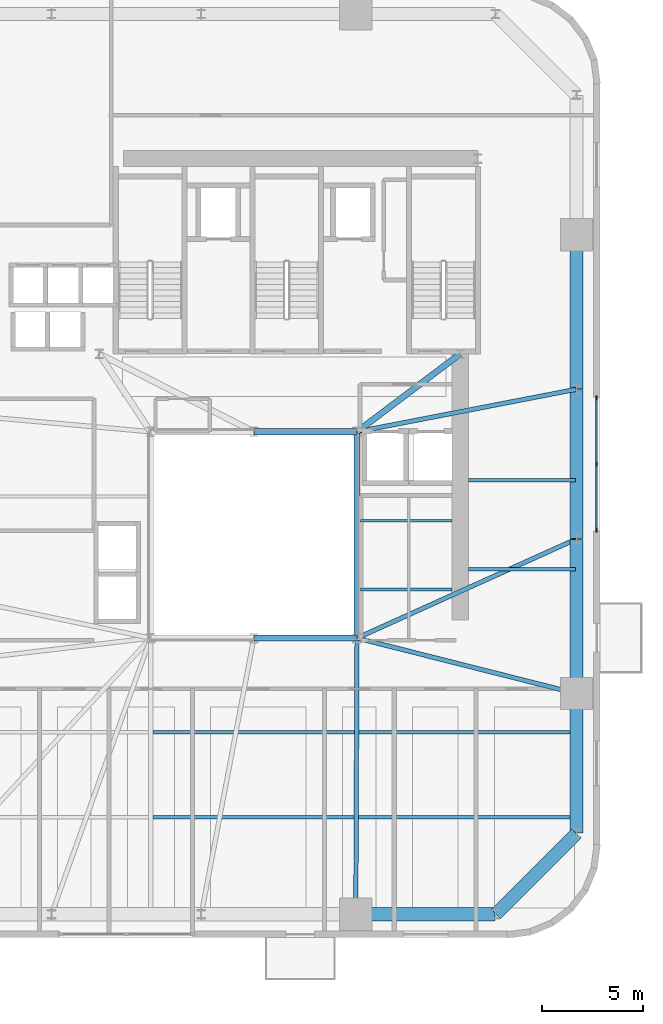
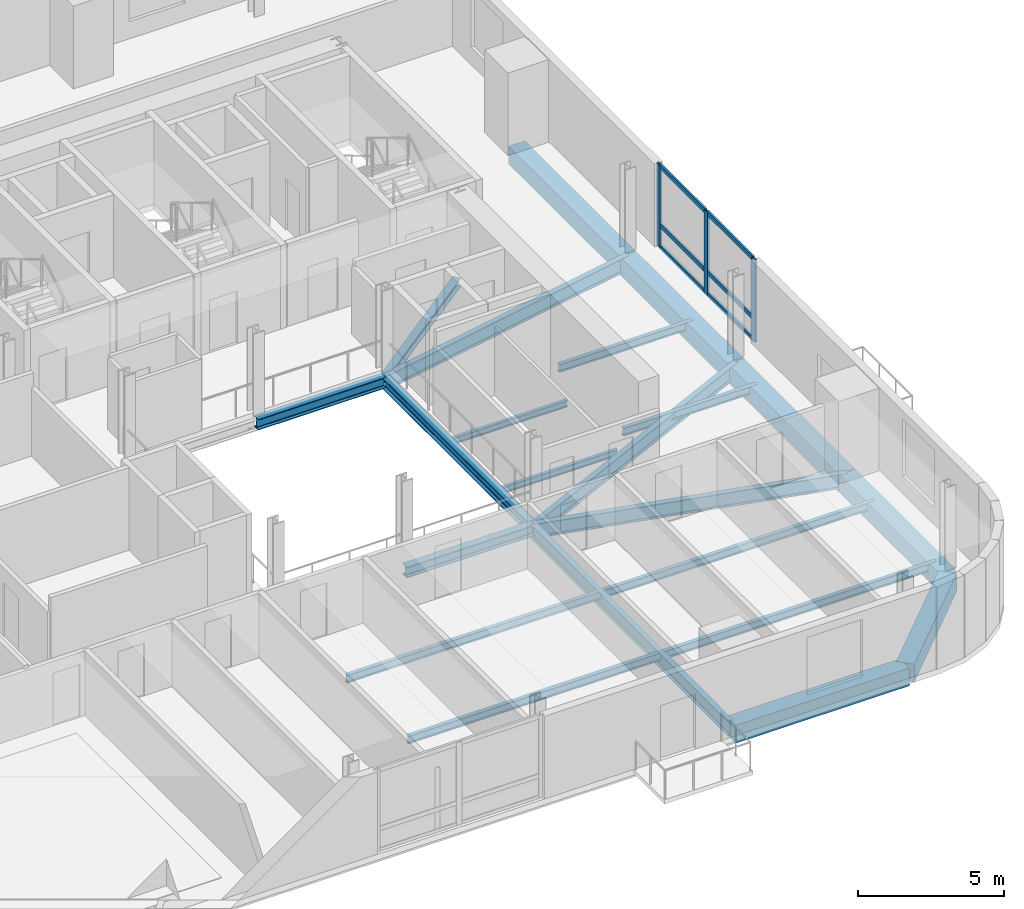
# One storey, part 3 of 14: 20 beams, 9 members, 1 element without a shape of its own.
"""IFC4 building model written with IfcOpenShell, lengths in metres."""

import ifcopenshell
import ifcopenshell.guid

model = None  # the IFC model being written
_history = None  # IfcOwnerHistory: only IFC2X3 demands one
_inside = {}  # id of a spatial element -> (the spatial element, [elements in it])
_under = {}  # id of a project, library or spatial element -> (it, [spatial elements below it])
_declared = {}  # id of a project -> (the project, [libraries it declares])
_typed = {}  # id of a type object -> (the type object, [elements of that type])
_made_of = {}  # id of a material, layer set ... -> (it, [elements and type objects made of it])


def new_model(schema):
    """Start an empty IFC model of exactly this schema.

    Asked for "IFC4X3", IfcOpenShell would pick the latest addendum, in which some entities
    have other attributes; the version numbers below select the first issue.
    IFC2X3 requires an IfcOwnerHistory on every rooted entity: one is made here for all.
    """
    global model, _history
    if schema == "IFC4X3":
        model = ifcopenshell.file(schema_version=(4, 3, 0, 0))
    else:
        model = ifcopenshell.file(schema=schema)
    _inside.clear()
    _under.clear()
    _declared.clear()
    _typed.clear()
    _made_of.clear()
    _history = None
    if model.schema == "IFC2X3":
        org = make("IfcOrganization", Name="unknown")
        user = make(
            "IfcPersonAndOrganization",
            ThePerson=make("IfcPerson", FamilyName="unknown"),
            TheOrganization=org,
        )
        app = make(
            "IfcApplication",
            ApplicationDeveloper=org,
            Version="unknown",
            ApplicationFullName="unknown",
            ApplicationIdentifier="unknown",
        )
        _history = make(
            "IfcOwnerHistory",
            OwningUser=user,
            OwningApplication=app,
            ChangeAction="ADDED",
            CreationDate=0,
        )
    return model


def make(cls, **values):
    """One entity of the class cls with the attributes given. An attribute that is None is left unset."""
    return model.create_entity(
        cls, **{name: value for name, value in values.items() if value is not None}
    )


def rooted(cls, **values):
    """An entity with a GlobalId (a new one), such as an element, a storey or a relation."""
    return make(cls, GlobalId=ifcopenshell.guid.new(), OwnerHistory=_history, **values)


def si_unit(unit_type, name, prefix=None):
    """IfcSIUnit, for example si_unit("LENGTHUNIT", "METRE", prefix="MILLI")."""
    return make("IfcSIUnit", UnitType=unit_type, Prefix=prefix, Name=name)


def assignment(units):
    """IfcUnitAssignment: the units of a project."""
    return None if units is None else make("IfcUnitAssignment", Units=units)


def point(xyz):
    """IfcCartesianPoint."""
    return None if xyz is None else make("IfcCartesianPoint", Coordinates=xyz)


def direction(xyz):
    """IfcDirection."""
    return None if xyz is None else make("IfcDirection", DirectionRatios=xyz)


def frame(location, z_axis=None, x_axis=None):
    """IfcAxis2Placement3D, a coordinate frame: its origin and axes. An axis left out is left unset."""
    return make(
        "IfcAxis2Placement3D",
        Location=point(location),
        Axis=direction(z_axis),
        RefDirection=direction(x_axis),
    )


def frame_2d(location, x_axis=None):
    """IfcAxis2Placement2D, a coordinate frame in the plane: its origin and x axis."""
    return make(
        "IfcAxis2Placement2D", Location=point(location), RefDirection=direction(x_axis)
    )


def origin():
    """The frame at (0, 0, 0) with its axes left unset."""
    return frame((0.0, 0.0, 0.0))


def origin_2d():
    """The frame at (0, 0) in the plane with its x axis left unset."""
    return frame_2d((0.0, 0.0))


def place(relative_to, where):
    """IfcLocalPlacement: puts the frame where relative to a parent placement (None: the world)."""
    return make(
        "IfcLocalPlacement", PlacementRelTo=relative_to, RelativePlacement=where
    )


def context(
    kind, dimensions, precision=None, world=None, true_north=None, identifier=None
):
    """IfcGeometricRepresentationContext, for example the 3D "Model" context."""
    return make(
        "IfcGeometricRepresentationContext",
        ContextIdentifier=identifier,
        ContextType=kind,
        CoordinateSpaceDimension=dimensions,
        Precision=precision,
        WorldCoordinateSystem=world,
        TrueNorth=true_north,
    )


def subcontext(parent, identifier, kind, view, scale=None):
    """IfcGeometricRepresentationSubContext, for example "Body" below "Model"."""
    return make(
        "IfcGeometricRepresentationSubContext",
        ContextIdentifier=identifier,
        ContextType=kind,
        ParentContext=parent,
        TargetScale=scale,
        TargetView=view,
    )


def project(units=None, contexts=None):
    """IfcProject with its units and contexts."""
    return rooted(
        "IfcProject",
        Name="project",
        RepresentationContexts=contexts,
        UnitsInContext=assignment(units),
    )


def spatial(cls, under=None, at=None, **own):
    """A site, building, storey or space (cls), placed at a placement, below another one or the project."""
    s = rooted(cls, ObjectPlacement=at, **own)
    if under is not None:
        _under.setdefault(under.id(), (under, []))[1].append(s)
    return s


def profile(cls, at=None, kind="AREA", **sizes):
    """A parametric profile (cls). Its sizes go by their IFC names, for example OverallWidth=200.0."""
    return make(cls, ProfileType=kind, Position=at, **sizes)


def rectangle(**sizes):
    """IfcRectangleProfileDef."""
    return profile("IfcRectangleProfileDef", **sizes)


def i_section(**sizes):
    """IfcIShapeProfileDef."""
    return profile("IfcIShapeProfileDef", **sizes)


def extrude(swept, where, along, depth):
    """IfcExtrudedAreaSolid: the profile swept, set in the frame where, extruded along a direction by depth."""
    return make(
        "IfcExtrudedAreaSolid",
        SweptArea=swept,
        Position=where,
        ExtrudedDirection=direction(along),
        Depth=depth,
    )


def shape(context_of_items, identifier, shape_type, items):
    """IfcShapeRepresentation: the items that make up one representation, for example the "Body"."""
    return make(
        "IfcShapeRepresentation",
        ContextOfItems=context_of_items,
        RepresentationIdentifier=identifier,
        RepresentationType=shape_type,
        Items=items,
    )


def source(mapping_origin, context_of_items, identifier, shape_type, items):
    """IfcRepresentationMap: a shape defined once, which mapped items show again and again."""
    return make(
        "IfcRepresentationMap",
        MappingOrigin=mapping_origin,
        MappedRepresentation=shape(context_of_items, identifier, shape_type, items),
    )


def transform(
    local_origin,
    x_axis=None,
    y_axis=None,
    z_axis=None,
    scale=None,
    scale2=None,
    scale3=None,
    uniform=True,
):
    """IfcCartesianTransformationOperator3D, or its non-uniform kind. x_axis, y_axis, z_axis: its Axis1, 2, 3."""
    if uniform:
        return make(
            "IfcCartesianTransformationOperator3D",
            Axis1=direction(x_axis),
            Axis2=direction(y_axis),
            LocalOrigin=point(local_origin),
            Scale=scale,
            Axis3=direction(z_axis),
        )
    return make(
        "IfcCartesianTransformationOperator3DnonUniform",
        Axis1=direction(x_axis),
        Axis2=direction(y_axis),
        LocalOrigin=point(local_origin),
        Scale=scale,
        Axis3=direction(z_axis),
        Scale2=scale2,
        Scale3=scale3,
    )


def mapped(mapping_source, mapping_target):
    """IfcMappedItem: shows the shape of a source again, moved by a transform."""
    return make(
        "IfcMappedItem", MappingSource=mapping_source, MappingTarget=mapping_target
    )


def material(Name=None, Category=None):
    """IfcMaterial."""
    return make("IfcMaterial", Name=Name, Category=Category)


def material_profile(
    of_material, cross_section, Name=None, Category=None, Priority=None
):
    """IfcMaterialProfile: a cross section and its material."""
    return make(
        "IfcMaterialProfile",
        Name=Name,
        Material=of_material,
        Profile=cross_section,
        Priority=Priority,
        Category=Category,
    )


def profile_set(profiles, Name=None, composite=None):
    """IfcMaterialProfileSet."""
    return make(
        "IfcMaterialProfileSet",
        Name=Name,
        MaterialProfiles=profiles,
        CompositeProfile=composite,
    )


def made_of(thing, what):
    """Note that an element or type object is made of a material, layer set ...; save() writes the relation."""
    if what is not None:
        _made_of.setdefault(what.id(), (what, []))[1].append(thing)
    return thing


def type_object(cls, material=None, **own):
    """A type object (cls), such as IfcWallType, which elements share."""
    return made_of(rooted(cls, **own), material)


def element(
    cls,
    number,
    at=None,
    inside=None,
    cuts=None,
    type_object=None,
    material=None,
    context=None,
    identifier="Body",
    shape_type=None,
    held_by="IfcProductDefinitionShape",
    body=None,
    shapes=None,
    **own,
):
    """One element of the class cls, such as IfcWall. Its Tag is "e" and its number.

    at: its placement. inside: the storey or other place that contains it. cuts: it is an
    opening in that element (IfcRelVoidsElement). A single representation is given by context,
    identifier, shape_type and body (its items); several are given by shapes. held_by: the class
    of the entity that holds the representations. save() writes the other relations.
    """
    e = rooted(cls, Tag="e%d" % number, ObjectPlacement=at, **own)
    if body is not None:
        shapes = [shape(context, identifier, shape_type, body)]
    if shapes is not None:
        e.Representation = make(held_by, Representations=shapes)
    if inside is not None:
        _inside.setdefault(inside.id(), (inside, []))[1].append(e)
    if cuts is not None:
        rooted(
            "IfcRelVoidsElement", RelatingBuildingElement=cuts, RelatedOpeningElement=e
        )
    if type_object is not None:
        _typed.setdefault(type_object.id(), (type_object, []))[1].append(e)
    return made_of(e, material)


def aggregate(whole, parts):
    """IfcRelAggregates: a whole, such as a stair, and the parts it consists of."""
    return rooted("IfcRelAggregates", RelatingObject=whole, RelatedObjects=parts)


def save(model, path):
    """Write the relations noted so far, then the file.

    IfcRelAggregates (storeys below a building ...), IfcRelContainedInSpatialStructure (elements
    in a storey), IfcRelDefinesByType, IfcRelAssociatesMaterial and IfcRelDeclares: one each for
    every whole, place, type object, material and project.
    """
    for whole, parts in _under.values():
        aggregate(whole, parts)
    for where, things in _inside.values():
        rooted(
            "IfcRelContainedInSpatialStructure",
            RelatedElements=things,
            RelatingStructure=where,
        )
    for kind, things in _typed.values():
        rooted("IfcRelDefinesByType", RelatedObjects=things, RelatingType=kind)
    for what, things in _made_of.values():
        rooted("IfcRelAssociatesMaterial", RelatedObjects=things, RelatingMaterial=what)
    for by, libraries in _declared.values():
        rooted("IfcRelDeclares", RelatingContext=by, RelatedDefinitions=libraries)
    model.write(path)


model = new_model("IFC4")

# Units and contexts
model_context = context("Model", 3, precision=1e-05, world=origin(), true_north=direction((0.0, 1.0)))
body_context = subcontext(model_context, "Body", "Model", "MODEL_VIEW")
ifc_project = project(units=[si_unit("LENGTHUNIT", "METRE"), si_unit("AREAUNIT", "SQUARE_METRE"), si_unit("VOLUMEUNIT", "CUBIC_METRE"), si_unit("PLANEANGLEUNIT", "RADIAN"), si_unit("MASSUNIT", "GRAM", prefix="KILO")], contexts=[model_context])

# Site, building, storey
site_placement = place(None, origin())
site = spatial("IfcSite", under=ifc_project, at=site_placement, CompositionType="ELEMENT")
building_placement = place(site_placement, origin())
building = spatial("IfcBuilding", under=site, at=building_placement, Name="Vardaveli Station Tower", CompositionType="ELEMENT")
storey_placement = place(building_placement, frame((0.0, 0.0, 122.39990234375)))
storey = spatial("IfcBuildingStorey", under=building, at=storey_placement, Name="L31", CompositionType="ELEMENT", Elevation=122.39990234375)

# Beams
ifc_material_1 = material(Name="Structural steel S355J2", Category="steel")
ifc_material_profile_1 = material_profile(ifc_material_1, i_section(OverallWidth=0.300048828125, OverallDepth=0.449951171875, WebThickness=0.013916015625, FlangeThickness=0.02587890625, FilletRadius=0.027099609375, at=origin_2d()), Name="HEB 450")
ifc_profile_set_1 = profile_set([ifc_material_profile_1], Name="Structural steel S355J2")
beam_type_1 = type_object("IfcBeamType", Name="BM-HEB450", PredefinedType="BEAM", material=ifc_profile_set_1)
shared_shape_1 = source(origin(), body_context, "Body", "SweptSolid", [
    extrude(i_section(OverallWidth=0.300048828125, OverallDepth=0.449951171875, WebThickness=0.013916015625, FlangeThickness=0.02587890625, FilletRadius=0.027099609375, at=origin_2d()), origin(), (0.0, 0.0, 1.0), 5.059814453125),
])
for number, where, z_axis, x_axis, name in (
    (1, (36.320068359375, 16.60009765625, -0.46484375), (1.0, 0.0, 0.0), (0.0, 1.0, 0.0), "ABM-L31-02"),
    (2, (41.3798828125, 26.800048828125, -0.46484375), (-1.0, 0.0, 0.0), (0.0, -1.0, 0.0), "ABM-L31-04"),
):
    element("IfcBeam", number, at=place(storey_placement, frame(where, z_axis=z_axis, x_axis=x_axis)), inside=storey, type_object=beam_type_1, Name=name, PredefinedType="BEAM", context=body_context, shape_type="MappedRepresentation", body=[
        mapped(shared_shape_1, transform((0.0, 0.0, 0.0), scale=1.0)),
    ])
shared_shape_2 = source(origin(), body_context, "Body", "SweptSolid", [
    extrude(i_section(OverallWidth=0.300048828125, OverallDepth=0.449951171875, WebThickness=0.013916015625, FlangeThickness=0.02587890625, FilletRadius=0.027099609375, at=origin_2d()), origin(), (0.0, 0.0, 1.0), 10.159912109375),
])
beam_1_placement = place(storey_placement, frame((41.39990234375, 16.6201171875, -0.46484375), z_axis=(0.0, 1.0, 0.0), x_axis=(-1.0, 0.0, 0.0)))
element("IfcBeam", 3, at=beam_1_placement, inside=storey, type_object=beam_type_1, Name="ABM-L31-03", PredefinedType="BEAM", context=body_context, shape_type="MappedRepresentation", body=[
    mapped(shared_shape_2, transform((0.0, 0.0, 0.0), scale=1.0)),
])
ifc_material_profile_2 = material_profile(ifc_material_1, i_section(OverallWidth=0.300048828125, OverallDepth=0.360107421875, WebThickness=0.012451171875, FlangeThickness=0.0224609375, FilletRadius=0.027099609375, at=origin_2d()), Name="HEB 360")
ifc_profile_set_2 = profile_set([ifc_material_profile_2], Name="Structural steel S355J2")
beam_type_2 = type_object("IfcBeamType", Name="BM-HEB360", PredefinedType="BEAM", material=ifc_profile_set_2)
shared_shape_3 = source(origin(), body_context, "Body", "SweptSolid", [
    extrude(i_section(OverallWidth=0.300048828125, OverallDepth=0.360107421875, WebThickness=0.012451171875, FlangeThickness=0.0224609375, FilletRadius=0.027099609375, at=origin_2d()), origin(), (0.0, 0.0, 1.0), 6.35009765625),
])
beam_2_placement = place(storey_placement, frame((41.416015625, 26.81201171875, -0.419921875), z_axis=(0.798118337722, 0.602500721154, 0.0), x_axis=(-0.602500721154, 0.798118337722, 0.0)))
element("IfcBeam", 4, at=beam_2_placement, inside=storey, type_object=beam_type_2, Name="CBM-L31-02", PredefinedType="BEAM", context=body_context, shape_type="MappedRepresentation", body=[
    mapped(shared_shape_3, transform((0.0, 0.0, 0.0), scale=1.0)),
])
ifc_material_2 = material(Name="Precast concrete C45/55", Category="concrete")
ifc_material_profile_3 = material_profile(ifc_material_2, rectangle(XDim=0.64990234375, YDim=0.75, at=origin_2d()), Name="LPB 650x750")
ifc_profile_set_3 = profile_set([ifc_material_profile_3], Name="Precast concrete C45/55")
beam_type_3 = type_object("IfcBeamType", Name="BM-LPB-750", PredefinedType="BEAM", material=ifc_profile_set_3)
shared_shape_4 = source(origin(), body_context, "Body", "SweptSolid", [
    extrude(rectangle(XDim=0.64990234375, YDim=0.75, at=origin_2d()), origin(), (0.0, 0.0, 1.0), 7.60009765625),
])
for number, where, z_axis, x_axis, name in (
    (5, (52.25, 13.8798828125, -0.614990234375), (0.0, 1.0, 0.0), (-1.0, 0.0, 0.0), "RBM-L31-07"),
    (6, (52.25, 28.919921875, -0.614990234375), (0.0, 1.0, 0.0), (-1.0, 0.0, 0.0), "RBM-L31-09"),
):
    element("IfcBeam", number, at=place(storey_placement, frame(where, z_axis=z_axis, x_axis=x_axis)), inside=storey, type_object=beam_type_3, Name=name, PredefinedType="BEAM", context=body_context, shape_type="MappedRepresentation", body=[
        mapped(shared_shape_4, transform((0.0, 0.0, 0.0), scale=1.0)),
    ])
shared_shape_5 = source(origin(), body_context, "Body", "SweptSolid", [
    extrude(rectangle(XDim=0.64990234375, YDim=0.75, at=origin_2d()), origin(), (0.0, 0.0, 1.0), 7.35986328125),
])
beam_3_placement = place(storey_placement, frame((52.25, 21.52001953125, -0.614990234375), z_axis=(0.0, 1.0, 0.0), x_axis=(-1.0, 0.0, 0.0)))
element("IfcBeam", 7, at=beam_3_placement, inside=storey, type_object=beam_type_3, Name="RBM-L31-08", PredefinedType="BEAM", context=body_context, shape_type="MappedRepresentation", body=[
    mapped(shared_shape_5, transform((0.0, 0.0, 0.0), scale=1.0)),
])
shared_shape_6 = source(origin(), body_context, "Body", "SweptSolid", [
    extrude(rectangle(XDim=0.64990234375, YDim=0.75, at=origin_2d()), origin(), (0.0, 0.0, 1.0), 6.869873046875),
])
beam_4_placement = place(storey_placement, frame((41.360107421875, 2.949951171875, -0.614990234375), z_axis=(1.0, 0.0, 0.0), x_axis=(0.0, 1.0, 0.0)))
element("IfcBeam", 8, at=beam_4_placement, inside=storey, type_object=beam_type_3, Name="RBM-L31-04", PredefinedType="BEAM", context=body_context, shape_type="MappedRepresentation", body=[
    mapped(shared_shape_6, transform((0.0, 0.0, 0.0), scale=1.0)),
])
shared_shape_7 = source(origin(), body_context, "Body", "SweptSolid", [
    extrude(rectangle(XDim=0.64990234375, YDim=0.75, at=origin_2d()), origin(), (0.0, 0.0, 1.0), 5.61669921875),
])
beam_5_placement = place(storey_placement, frame((48.26416015625, 2.964111328125, -0.614990234375), z_axis=(0.707106781187, 0.707106781187, 0.0), x_axis=(-0.707106781187, 0.707106781187, 0.0)))
element("IfcBeam", 9, at=beam_5_placement, inside=storey, type_object=beam_type_3, Name="RBM-L31-05", PredefinedType="BEAM", context=body_context, shape_type="MappedRepresentation", body=[
    mapped(shared_shape_7, transform((0.0, 0.0, 0.0), scale=1.0)),
])
shared_shape_8 = source(origin(), body_context, "Body", "SweptSolid", [
    extrude(rectangle(XDim=0.64990234375, YDim=0.75, at=origin_2d()), origin(), (0.0, 0.0, 1.0), 6.8701171875),
])
beam_6_placement = place(storey_placement, frame((52.25, 6.969970703125, -0.614990234375), z_axis=(0.0, 1.0, 0.0), x_axis=(-1.0, 0.0, 0.0)))
element("IfcBeam", 10, at=beam_6_placement, inside=storey, type_object=beam_type_3, Name="RBM-L31-06", PredefinedType="BEAM", context=body_context, shape_type="MappedRepresentation", body=[
    mapped(shared_shape_8, transform((0.0, 0.0, 0.0), scale=1.0)),
])
ifc_material_profile_4 = material_profile(ifc_material_1, i_section(OverallWidth=0.159912109375, OverallDepth=0.330078125, WebThickness=0.007568359375, FlangeThickness=0.011474609375, FilletRadius=0.01806640625, at=origin_2d()), Name="IPE 330")
ifc_profile_set_4 = profile_set([ifc_material_profile_4], Name="Structural steel S355J2")
beam_type_4 = type_object("IfcBeamType", Name="BM-IPE330", PredefinedType="JOIST", material=ifc_profile_set_4)
shared_shape_9 = source(origin(), body_context, "Body", "SweptSolid", [
    extrude(i_section(OverallWidth=0.159912109375, OverallDepth=0.330078125, WebThickness=0.007568359375, FlangeThickness=0.011474609375, FilletRadius=0.01806640625, at=origin_2d()), origin(), (0.0, 0.0, 1.0), 20.89794921875),
])
for number, where, z_axis, x_axis, name in (
    (11, (31.31201171875, 7.75, -0.40478515625), (1.0, 0.0, 0.0), (0.0, 1.0, 0.0), "SJ-L31-S02"),
    (12, (31.31201171875, 11.949951171875, -0.40478515625), (1.0, 0.0, 0.0), (0.0, 1.0, 0.0), "SJ-L31-S04"),
):
    element("IfcBeam", number, at=place(storey_placement, frame(where, z_axis=z_axis, x_axis=x_axis)), inside=storey, type_object=beam_type_4, Name=name, PredefinedType="JOIST", context=body_context, shape_type="MappedRepresentation", body=[
        mapped(shared_shape_9, transform((0.0, 0.0, 0.0), scale=1.0)),
    ])
shared_shape_10 = source(origin(), body_context, "Body", "SweptSolid", [
    extrude(i_section(OverallWidth=0.159912109375, OverallDepth=0.330078125, WebThickness=0.007568359375, FlangeThickness=0.011474609375, FilletRadius=0.01806640625, at=origin_2d()), origin(), (0.0, 0.0, 1.0), 5.304931640625),
])
for number, where, z_axis, x_axis, name in (
    (13, (46.905029296875, 20.0, -0.40478515625), (1.0, 0.0, 0.0), (0.0, 1.0, 0.0), "SJ-L31-E07"),
    (14, (46.905029296875, 24.39990234375, -0.40478515625), (1.0, 0.0, 0.0), (0.0, 1.0, 0.0), "SJ-L31-E08"),
):
    element("IfcBeam", number, at=place(storey_placement, frame(where, z_axis=z_axis, x_axis=x_axis)), inside=storey, type_object=beam_type_4, Name=name, PredefinedType="JOIST", context=body_context, shape_type="MappedRepresentation", body=[
        mapped(shared_shape_10, transform((0.0, 0.0, 0.0), scale=1.0)),
    ])
ifc_material_profile_5 = material_profile(ifc_material_1, i_section(OverallWidth=0.135009765625, OverallDepth=0.27001953125, WebThickness=0.006591796875, FlangeThickness=0.01025390625, FilletRadius=0.014892578125, at=origin_2d()), Name="IPE 270")
ifc_profile_set_5 = profile_set([ifc_material_profile_5], Name="Structural steel S355J2")
beam_type_5 = type_object("IfcBeamType", Name="BM-IPE270", PredefinedType="BEAM", material=ifc_profile_set_5)
shared_shape_11 = source(origin(), body_context, "Body", "SweptSolid", [
    extrude(i_section(OverallWidth=0.135009765625, OverallDepth=0.27001953125, WebThickness=0.006591796875, FlangeThickness=0.01025390625, FilletRadius=0.014892578125, at=origin_2d()), origin(), (0.0, 0.0, 1.0), 4.530029296875),
])
for number, where, z_axis, x_axis, name in (
    (15, (41.56494140625, 19.0, -0.375), (1.0, 0.0, 0.0), (0.0, 1.0, 0.0), "TJ-L31-01"),
    (16, (41.56494140625, 22.39990234375, -0.375), (1.0, 0.0, 0.0), (0.0, 1.0, 0.0), "TJ-L31-02"),
):
    element("IfcBeam", number, at=place(storey_placement, frame(where, z_axis=z_axis, x_axis=x_axis)), inside=storey, type_object=beam_type_5, Name=name, PredefinedType="BEAM", context=body_context, shape_type="MappedRepresentation", body=[
        mapped(shared_shape_11, transform((0.0, 0.0, 0.0), scale=1.0)),
    ])
ifc_material_profile_6 = material_profile(ifc_material_1, i_section(OverallWidth=0.219970703125, OverallDepth=0.60009765625, WebThickness=0.011962890625, FlangeThickness=0.01904296875, FilletRadius=0.02392578125, at=origin_2d()), Name="IPE 600")
ifc_profile_set_6 = profile_set([ifc_material_profile_6], Name="Structural steel S355J2")
beam_type_6 = type_object("IfcBeamType", Name="BM-IPE600", PredefinedType="BEAM", material=ifc_profile_set_6)
shared_shape_12 = source(origin(), body_context, "Body", "SweptSolid", [
    extrude(i_section(OverallWidth=0.219970703125, OverallDepth=0.60009765625, WebThickness=0.011962890625, FlangeThickness=0.01904296875, FilletRadius=0.02392578125, at=origin_2d()), origin(), (0.0, 0.0, 1.0), 13.6103515625),
])
beam_7_placement = place(storey_placement, frame((41.340087890625, 2.969970703125, -0.539794921875), z_axis=(0.004394812886, 0.999990342763, 0.0), x_axis=(-0.999990342763, 0.004394812886, 0.0)))
element("IfcBeam", 17, at=beam_7_placement, inside=storey, type_object=beam_type_6, Name="GBM-L31-04", PredefinedType="BEAM", context=body_context, shape_type="MappedRepresentation", body=[
    mapped(shared_shape_12, transform((0.0, 0.0, 0.0), scale=1.0)),
])
shared_shape_13 = source(origin(), body_context, "Body", "SweptSolid", [
    extrude(i_section(OverallWidth=0.219970703125, OverallDepth=0.60009765625, WebThickness=0.011962890625, FlangeThickness=0.01904296875, FilletRadius=0.02392578125, at=origin_2d()), origin(), (0.0, 0.0, 1.0), 11.150634765625),
])
beam_8_placement = place(storey_placement, frame((52.230712890625, 13.864990234375, -0.539794921875), z_axis=(-0.969561465826, 0.244848042642, 0.0), x_axis=(-0.244848042642, -0.969561465826, 0.0)))
element("IfcBeam", 18, at=beam_8_placement, inside=storey, type_object=beam_type_6, Name="GBM-L31-05", PredefinedType="BEAM", context=body_context, shape_type="MappedRepresentation", body=[
    mapped(shared_shape_13, transform((0.0, 0.0, 0.0), scale=1.0)),
])
shared_shape_14 = source(origin(), body_context, "Body", "SweptSolid", [
    extrude(i_section(OverallWidth=0.219970703125, OverallDepth=0.60009765625, WebThickness=0.011962890625, FlangeThickness=0.01904296875, FilletRadius=0.02392578125, at=origin_2d()), origin(), (0.0, 0.0, 1.0), 11.864990234375),
])
beam_9_placement = place(storey_placement, frame((52.231689453125, 21.49169921875, -0.539794921875), z_axis=(-0.911369354756, -0.411589478985, 0.0), x_axis=(0.411589478985, -0.911369354756, 0.0)))
element("IfcBeam", 19, at=beam_9_placement, inside=storey, type_object=beam_type_6, Name="GBM-L31-06", PredefinedType="BEAM", context=body_context, shape_type="MappedRepresentation", body=[
    mapped(shared_shape_14, transform((0.0, 0.0, 0.0), scale=1.0)),
])
shared_shape_15 = source(origin(), body_context, "Body", "SweptSolid", [
    extrude(i_section(OverallWidth=0.219970703125, OverallDepth=0.60009765625, WebThickness=0.011962890625, FlangeThickness=0.01904296875, FilletRadius=0.02392578125, at=origin_2d()), origin(), (0.0, 0.0, 1.0), 11.011474609375),
])
beam_10_placement = place(storey_placement, frame((52.23046875, 28.896240234375, -0.539794921875), z_axis=(-0.981777849093, -0.190032247343, 0.0), x_axis=(0.190032247343, -0.981777849093, 0.0)))
element("IfcBeam", 20, at=beam_10_placement, inside=storey, type_object=beam_type_6, Name="GBM-L31-07", PredefinedType="BEAM", context=body_context, shape_type="MappedRepresentation", body=[
    mapped(shared_shape_15, transform((0.0, 0.0, 0.0), scale=1.0)),
])

# Curtain wall, members
ifc_material_3 = material(Name="Travertine stone and solar-control glass", Category="masonry")
curtain_wall_type = type_object("IfcCurtainWallType", Name="CW-SYS-2", PredefinedType="NOTDEFINED", material=ifc_material_3)
curtain_wall_placement = place(storey_placement, origin())
curtain_wall = element("IfcCurtainWall", 21, at=curtain_wall_placement, inside=storey, type_object=curtain_wall_type, Name="CW-L31-E", PredefinedType="NOTDEFINED")
ifc_material_4 = material(Name="Anodised aluminium alloy 6063-T6", Category="aluminium")
ifc_material_profile_7 = material_profile(ifc_material_4, rectangle(XDim=0.0849609375, YDim=0.179931640625, at=origin_2d()), Name="CWT 85x180")
ifc_profile_set_7 = profile_set([ifc_material_profile_7], Name="Anodised aluminium alloy 6063-T6")
member_type_1 = type_object("IfcMemberType", Name="CW-SYS-2-TRAN", PredefinedType="NOTDEFINED", material=ifc_profile_set_7)
shared_shape_16 = source(origin(), body_context, "Body", "SweptSolid", [
    extrude(rectangle(XDim=0.0849609375, YDim=0.179931640625, at=origin_2d()), origin(), (0.0, 0.0, 1.0), 3.172607421875),
])
member_1_placement = place(storey_placement, frame((53.239990234375, 25.242431640625, 0.04248046875), z_axis=(0.0, 1.0, 0.0), x_axis=(-1.0, 0.0, 0.0)))
member_1 = element("IfcMember", 22, at=member_1_placement, type_object=member_type_1, Name="CW-2 transom 2.1", ObjectType="TRANSOM", PredefinedType="USERDEFINED", context=body_context, shape_type="MappedRepresentation", body=[
    mapped(shared_shape_16, transform((0.0, 0.0, 0.0), scale=1.0)),
])
member_2_placement = place(storey_placement, frame((53.239990234375, 25.242431640625, 0.9501953125), z_axis=(0.0, 1.0, 0.0), x_axis=(-1.0, 0.0, 0.0)))
member_2 = element("IfcMember", 23, at=member_2_placement, type_object=member_type_1, Name="CW-2 transom 2.2", ObjectType="TRANSOM", PredefinedType="USERDEFINED", context=body_context, shape_type="MappedRepresentation", body=[
    mapped(shared_shape_16, transform((0.0, 0.0, 0.0), scale=1.0)),
])
member_3_placement = place(storey_placement, frame((53.239990234375, 25.242431640625, 3.41748046875), z_axis=(0.0, 1.0, 0.0), x_axis=(-1.0, 0.0, 0.0)))
member_3 = element("IfcMember", 24, at=member_3_placement, type_object=member_type_1, Name="CW-2 transom 2.3", ObjectType="TRANSOM", PredefinedType="USERDEFINED", context=body_context, shape_type="MappedRepresentation", body=[
    mapped(shared_shape_16, transform((0.0, 0.0, 0.0), scale=1.0)),
])
shared_shape_17 = source(origin(), body_context, "Body", "SweptSolid", [
    extrude(rectangle(XDim=0.0849609375, YDim=0.179931640625, at=origin_2d()), origin(), (0.0, 0.0, 1.0), 3.17236328125),
])
member_4_placement = place(storey_placement, frame((53.239990234375, 21.985107421875, 0.04248046875), z_axis=(0.0, 1.0, 0.0), x_axis=(-1.0, 0.0, 0.0)))
member_4 = element("IfcMember", 25, at=member_4_placement, type_object=member_type_1, Name="CW-2 transom 1.1", ObjectType="TRANSOM", PredefinedType="USERDEFINED", context=body_context, shape_type="MappedRepresentation", body=[
    mapped(shared_shape_17, transform((0.0, 0.0, 0.0), scale=1.0)),
])
member_5_placement = place(storey_placement, frame((53.239990234375, 21.985107421875, 0.9501953125), z_axis=(0.0, 1.0, 0.0), x_axis=(-1.0, 0.0, 0.0)))
member_5 = element("IfcMember", 26, at=member_5_placement, type_object=member_type_1, Name="CW-2 transom 1.2", ObjectType="TRANSOM", PredefinedType="USERDEFINED", context=body_context, shape_type="MappedRepresentation", body=[
    mapped(shared_shape_17, transform((0.0, 0.0, 0.0), scale=1.0)),
])
member_6_placement = place(storey_placement, frame((53.239990234375, 21.985107421875, 3.41748046875), z_axis=(0.0, 1.0, 0.0), x_axis=(-1.0, 0.0, 0.0)))
member_6 = element("IfcMember", 27, at=member_6_placement, type_object=member_type_1, Name="CW-2 transom 1.3", ObjectType="TRANSOM", PredefinedType="USERDEFINED", context=body_context, shape_type="MappedRepresentation", body=[
    mapped(shared_shape_17, transform((0.0, 0.0, 0.0), scale=1.0)),
])
ifc_material_profile_8 = material_profile(ifc_material_4, rectangle(XDim=0.0849609375, YDim=0.219970703125, at=origin_2d()), Name="CWM 85x220")
ifc_profile_set_8 = profile_set([ifc_material_profile_8], Name="Anodised aluminium alloy 6063-T6")
member_type_2 = type_object("IfcMemberType", Name="CW-SYS-2-MULL", PredefinedType="MULLION", material=ifc_profile_set_8)
shared_shape_18 = source(origin(), body_context, "Body", "SweptSolid", [
    extrude(rectangle(XDim=0.0849609375, YDim=0.219970703125, at=origin_2d()), origin(), (0.0, 0.0, 1.0), 3.460205078125),
])
member_7_placement = place(storey_placement, frame((53.239990234375, 21.9423828125, 0.0), z_axis=(0.0, 0.0, 1.0), x_axis=(-1.0, 0.0, 0.0)))
member_7 = element("IfcMember", 28, at=member_7_placement, type_object=member_type_2, Name="CW-2 mullion 1", PredefinedType="MULLION", context=body_context, shape_type="MappedRepresentation", body=[
    mapped(shared_shape_18, transform((0.0, 0.0, 0.0), scale=1.0)),
])
member_8_placement = place(storey_placement, frame((53.239990234375, 25.199951171875, 0.0), z_axis=(0.0, 0.0, 1.0), x_axis=(-1.0, 0.0, 0.0)))
member_8 = element("IfcMember", 29, at=member_8_placement, type_object=member_type_2, Name="CW-2 mullion 2", PredefinedType="MULLION", context=body_context, shape_type="MappedRepresentation", body=[
    mapped(shared_shape_18, transform((0.0, 0.0, 0.0), scale=1.0)),
])
member_9_placement = place(storey_placement, frame((53.239990234375, 28.45751953125, 0.0), z_axis=(0.0, 0.0, 1.0), x_axis=(-1.0, 0.0, 0.0)))
member_9 = element("IfcMember", 30, at=member_9_placement, type_object=member_type_2, Name="CW-2 mullion 3", PredefinedType="MULLION", context=body_context, shape_type="MappedRepresentation", body=[
    mapped(shared_shape_18, transform((0.0, 0.0, 0.0), scale=1.0)),
])
aggregate(curtain_wall, [member_7, member_8, member_9, member_4, member_5, member_6, member_1, member_2, member_3])

save(model, "model.ifc")
